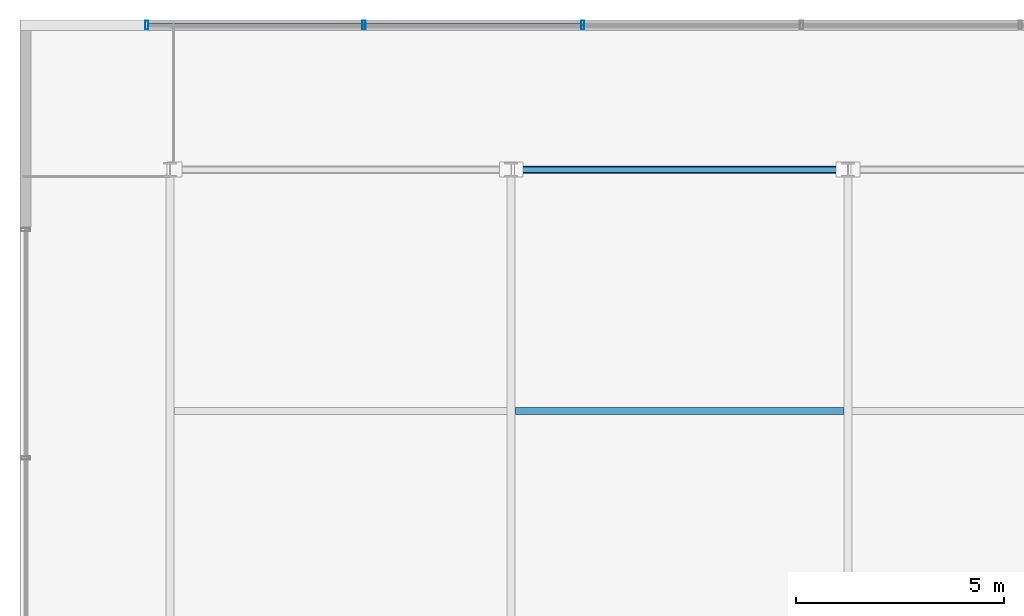
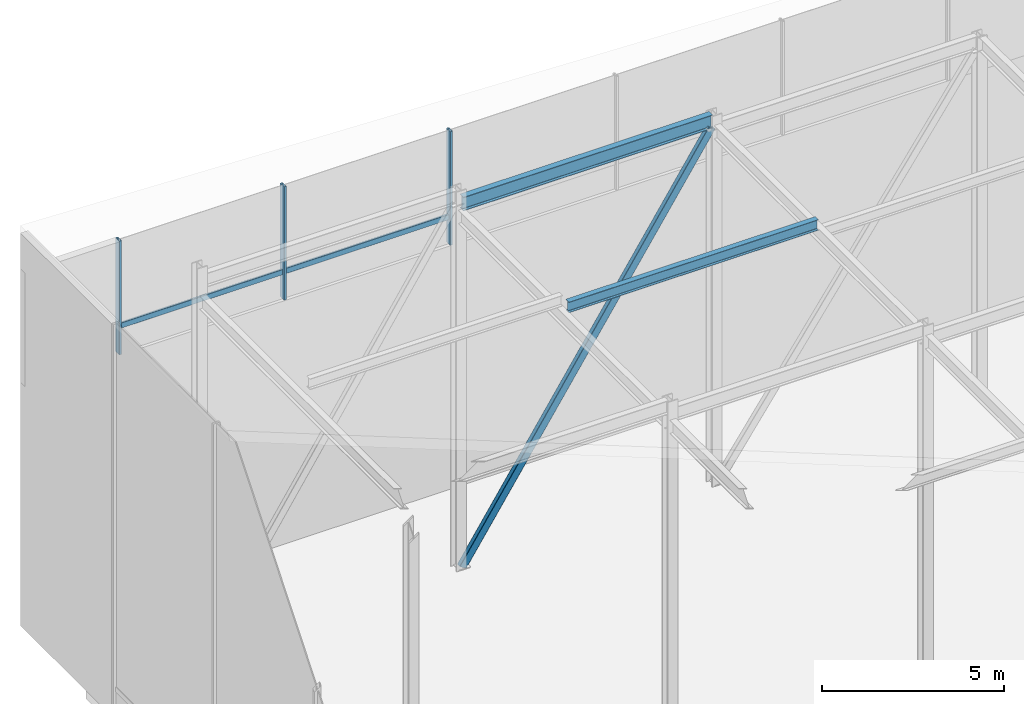
# One storey, part 19 of 39: 6 members, 2 beams, 1 element without a shape of its own.
"""IFC4 building model written with IfcOpenShell, lengths in metres."""

from ifc_helpers import new_model, si_unit, direction, frame, origin, origin_2d, place, context, subcontext, project, spatial, hollow_rectangle, i_section, extrude, material, layer, layer_set, material_profile, profile_set, type_object, element, aggregate, save


model = new_model("IFC4")

# Units and contexts
model_context = context("Model", 3, precision=1e-05, world=origin(), true_north=direction((0.0, 1.0)))
body_context = subcontext(model_context, "Body", "Model", "MODEL_VIEW")
ifc_project = project(units=[si_unit("LENGTHUNIT", "METRE"), si_unit("AREAUNIT", "SQUARE_METRE"), si_unit("VOLUMEUNIT", "CUBIC_METRE"), si_unit("PLANEANGLEUNIT", "RADIAN"), si_unit("MASSUNIT", "GRAM", prefix="KILO")], contexts=[model_context])

# Site, building, storey
site_placement = place(None, origin())
site = spatial("IfcSite", under=ifc_project, at=site_placement, CompositionType="ELEMENT")
building_placement = place(site_placement, origin())
building = spatial("IfcBuilding", under=site, at=building_placement, Name="Korimba Cascade Residences", CompositionType="ELEMENT")
storey_placement = place(building_placement, frame((0.0, 0.0, 264.199951171875)))
storey = spatial("IfcBuildingStorey", under=building, at=storey_placement, Name="RF", CompositionType="ELEMENT", Elevation=264.199951171875)

# Beams
ifc_material_1 = material(Name="Steel S355", Category="steel")
ifc_material_profile_1 = material_profile(ifc_material_1, i_section(OverallWidth=0.172119140625, OverallDepth=0.35791015625, WebThickness=0.008056640625, FlangeThickness=0.012939453125, FilletRadius=0.01025390625, at=origin_2d()), Name="Steel S355")
ifc_profile_set_1 = profile_set([ifc_material_profile_1], Name="Steel S355")
beam_type_1 = type_object("IfcBeamType", Name="BM-STL-UB356", PredefinedType="JOIST", material=ifc_profile_set_1)
beam_1_placement = place(storey_placement, frame((68.10009765625, 85.39990234375, 12.231689453125), z_axis=(1.0, 0.0, 0.0), x_axis=(0.0, 1.0, 0.0)))
element("IfcBeam", 1, at=beam_1_placement, inside=storey, type_object=beam_type_1, Name="RF Crown Cap Joist W3.2", PredefinedType="JOIST", context=body_context, shape_type="SweptSolid", body=[
    extrude(i_section(OverallWidth=0.172119140625, OverallDepth=0.35791015625, WebThickness=0.008056640625, FlangeThickness=0.012939453125, FilletRadius=0.01025390625, at=origin_2d()), origin(), (0.0, 0.0, 1.0), 7.89990234375),
])
ifc_material_profile_2 = material_profile(ifc_material_1, i_section(OverallWidth=0.19140625, OverallDepth=0.4599609375, WebThickness=0.010009765625, FlangeThickness=0.01611328125, FilletRadius=0.01025390625, at=origin_2d()), Name="Steel S355")
ifc_profile_set_2 = profile_set([ifc_material_profile_2], Name="Steel S355")
beam_type_2 = type_object("IfcBeamType", Name="BM-STL-UB457", PredefinedType="JOIST", material=ifc_profile_set_2)
beam_2_placement = place(storey_placement, frame((68.10498046875, 91.199951171875, 12.1806640625), z_axis=(1.0, 0.0, 0.0), x_axis=(0.0, 1.0, 0.0)))
element("IfcBeam", 2, at=beam_2_placement, inside=storey, type_object=beam_type_2, Name="RF Crown Cap Ring Beam W4.2", PredefinedType="JOIST", context=body_context, shape_type="SweptSolid", body=[
    extrude(i_section(OverallWidth=0.19140625, OverallDepth=0.4599609375, WebThickness=0.010009765625, FlangeThickness=0.01611328125, FilletRadius=0.01025390625, at=origin_2d()), origin(), (0.0, 0.0, 1.0), 7.89013671875),
])

# Curtain wall, members
ifc_material_2 = material(Name="Anodised Aluminium Curtain Wall Framing", Category="aluminium")
ifc_layer = layer(ifc_material_2, 0.179931640625)
ifc_layer_set = layer_set([ifc_layer], Name="Anodised Aluminium Curtain Wall Framing")
curtain_wall_type = type_object("IfcCurtainWallType", Name="CW-CRNW-SYS5", PredefinedType="NOTDEFINED", material=ifc_layer_set)
curtain_wall_placement = place(storey_placement, origin())
curtain_wall = element("IfcCurtainWall", 3, at=curtain_wall_placement, inside=storey, type_object=curtain_wall_type, Name="RF Curtain Wall CW-RF-CRN-W-2", PredefinedType="NOTDEFINED")
ifc_material_3 = material(Name="Anodised Aluminium Mullion", Category="aluminium")
ifc_material_profile_3 = material_profile(ifc_material_3, hollow_rectangle(XDim=0.080078125, YDim=0.219970703125, WallThickness=0.00634765625, InnerFilletRadius=0.00634765625, OuterFilletRadius=0.0126953125, at=origin_2d()), Name="Anodised Aluminium Mullion")
ifc_profile_set_3 = profile_set([ifc_material_profile_3], Name="Anodised Aluminium Mullion")
member_type_1 = type_object("IfcMemberType", Name="CWM-MUL-220", PredefinedType="MULLION", material=ifc_profile_set_3)
member_1_placement = place(storey_placement, frame((59.239990234375, 94.675048828125, 8.150146484375), z_axis=(0.0, 0.0, 1.0), x_axis=(1.0, 0.0, 0.0)))
member_1 = element("IfcMember", 4, at=member_1_placement, type_object=member_type_1, Name="CW-RF-CRN-W-2 Mullion 1", PredefinedType="MULLION", context=body_context, shape_type="SweptSolid", body=[
    extrude(hollow_rectangle(XDim=0.080078125, YDim=0.219970703125, WallThickness=0.00634765625, InnerFilletRadius=0.00634765625, OuterFilletRadius=0.0126953125, at=origin_2d()), origin(), (0.0, 0.0, 1.0), 3.7998046875),
])
member_2_placement = place(storey_placement, frame((64.4599609375, 94.675048828125, 8.150146484375), z_axis=(0.0, 0.0, 1.0), x_axis=(1.0, 0.0, 0.0)))
member_2 = element("IfcMember", 5, at=member_2_placement, type_object=member_type_1, Name="CW-RF-CRN-W-2 Mullion 2", PredefinedType="MULLION", context=body_context, shape_type="SweptSolid", body=[
    extrude(hollow_rectangle(XDim=0.080078125, YDim=0.219970703125, WallThickness=0.00634765625, InnerFilletRadius=0.00634765625, OuterFilletRadius=0.0126953125, at=origin_2d()), origin(), (0.0, 0.0, 1.0), 3.7998046875),
])
member_3_placement = place(storey_placement, frame((69.719970703125, 94.675048828125, 8.150146484375), z_axis=(0.0, 0.0, 1.0), x_axis=(1.0, 0.0, 0.0)))
member_3 = element("IfcMember", 6, at=member_3_placement, type_object=member_type_1, Name="CW-RF-CRN-W-2 Mullion 3", PredefinedType="MULLION", context=body_context, shape_type="SweptSolid", body=[
    extrude(hollow_rectangle(XDim=0.080078125, YDim=0.219970703125, WallThickness=0.00634765625, InnerFilletRadius=0.00634765625, OuterFilletRadius=0.0126953125, at=origin_2d()), origin(), (0.0, 0.0, 1.0), 3.7998046875),
])
ifc_material_4 = material(Name="Anodised Aluminium Transom", Category="aluminium")
ifc_material_profile_4 = material_profile(ifc_material_4, hollow_rectangle(XDim=0.070068359375, YDim=0.179931640625, WallThickness=0.0048828125, InnerFilletRadius=0.0048828125, OuterFilletRadius=0.010009765625, at=origin_2d()), Name="Anodised Aluminium Transom")
ifc_profile_set_4 = profile_set([ifc_material_profile_4], Name="Anodised Aluminium Transom")
member_type_2 = type_object("IfcMemberType", Name="CWM-TRN-150", PredefinedType="USERDEFINED", material=ifc_profile_set_4)
member_4_placement = place(storey_placement, frame((59.239990234375, 94.675048828125, 9.050048828125), z_axis=(1.0, 0.0, 0.0), x_axis=(0.0, 1.0, 0.0)))
member_4 = element("IfcMember", 7, at=member_4_placement, type_object=member_type_2, Name="CW-RF-CRN-W-2 Transom 1", ObjectType="TRANSOM", PredefinedType="USERDEFINED", context=body_context, shape_type="SweptSolid", body=[
    extrude(hollow_rectangle(XDim=0.070068359375, YDim=0.179931640625, WallThickness=0.0048828125, InnerFilletRadius=0.0048828125, OuterFilletRadius=0.010009765625, at=origin_2d()), origin(), (0.0, 0.0, 1.0), 5.219970703125),
])
member_5_placement = place(storey_placement, frame((64.4599609375, 94.675048828125, 9.050048828125), z_axis=(1.0, 0.0, 0.0), x_axis=(0.0, 1.0, 0.0)))
member_5 = element("IfcMember", 8, at=member_5_placement, type_object=member_type_2, Name="CW-RF-CRN-W-2 Transom 2", ObjectType="TRANSOM", PredefinedType="USERDEFINED", context=body_context, shape_type="SweptSolid", body=[
    extrude(hollow_rectangle(XDim=0.070068359375, YDim=0.179931640625, WallThickness=0.0048828125, InnerFilletRadius=0.0048828125, OuterFilletRadius=0.010009765625, at=origin_2d()), origin(), (0.0, 0.0, 1.0), 5.260009765625),
])
aggregate(curtain_wall, [member_1, member_2, member_3, member_4, member_5])

# Member
ifc_material_profile_5 = material_profile(ifc_material_1, hollow_rectangle(XDim=0.14990234375, YDim=0.25, WallThickness=0.009033203125, InnerFilletRadius=0.009033203125, OuterFilletRadius=0.01806640625, at=origin_2d()), Name="Steel S355")
ifc_profile_set_5 = profile_set([ifc_material_profile_5], Name="Steel S355")
member_type_3 = type_object("IfcMemberType", Name="MEM-CRN-RHS250", PredefinedType="BRACE", material=ifc_profile_set_5)
member_6_placement = place(storey_placement, frame((68.10498046875, 91.199951171875, 0.0), z_axis=(0.550776914567, 0.0, 0.834652496779), x_axis=(0.0, 1.0, 0.0)))
element("IfcMember", 9, at=member_6_placement, inside=storey, type_object=member_type_3, Name="RF CROWN FRAME Diagonal Brace W4.2", PredefinedType="BRACE", context=body_context, shape_type="SweptSolid", body=[
    extrude(hollow_rectangle(XDim=0.14990234375, YDim=0.25, WallThickness=0.009033203125, InnerFilletRadius=0.009033203125, OuterFilletRadius=0.01806640625, at=origin_2d()), origin(), (0.0, 0.0, 1.0), 14.325439453125),
])

save(model, "model.ifc")
